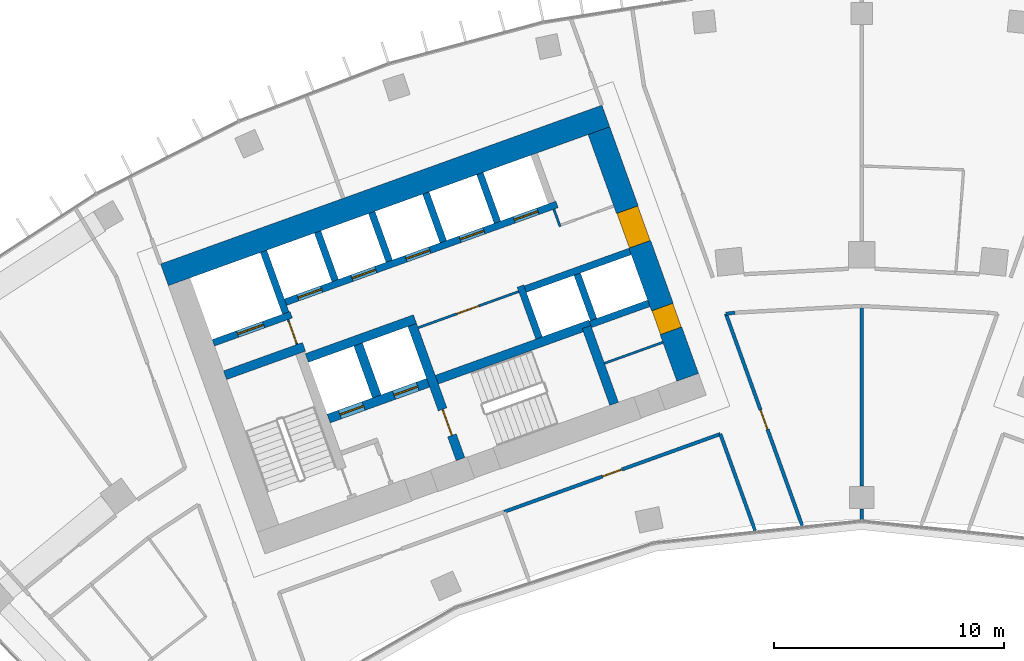
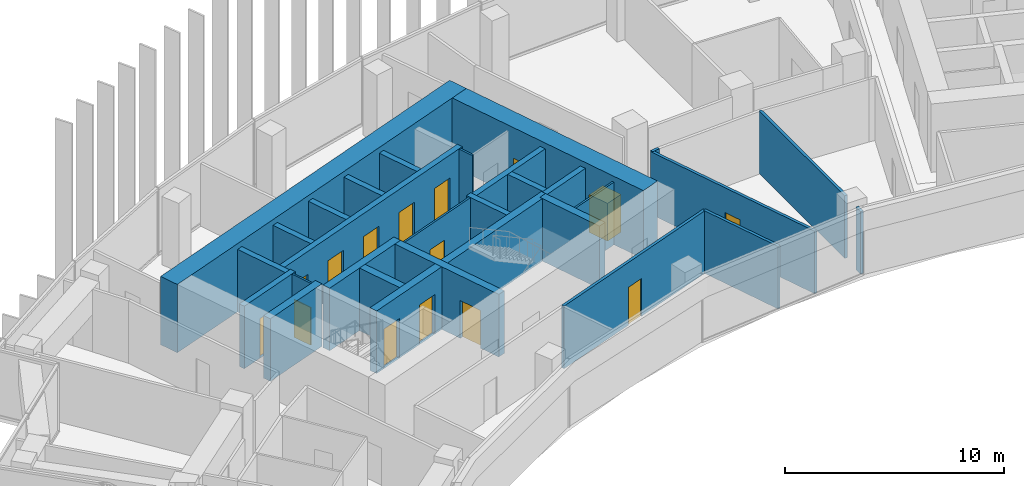
# One storey, part 14 of 19: 29 walls, 15 doors, 15 openings.
"""IFC4 building model written with IfcOpenShell, lengths in metres."""

from ifc_helpers import new_model, si_unit, direction, frame, frame_2d, origin, place, context, subcontext, project, spatial, rectangle, extrude, material, layer, layer_set, type_object, element, fill, save


model = new_model("IFC4")

# Units and contexts
model_context = context("Model", 3, precision=1e-05, world=origin(), true_north=direction((0.0, 1.0)))
body_context = subcontext(model_context, "Body", "Model", "MODEL_VIEW")
ifc_project = project(units=[si_unit("LENGTHUNIT", "METRE"), si_unit("AREAUNIT", "SQUARE_METRE"), si_unit("VOLUMEUNIT", "CUBIC_METRE"), si_unit("PLANEANGLEUNIT", "RADIAN"), si_unit("MASSUNIT", "GRAM", prefix="KILO")], contexts=[model_context])

# Site, building, storey
site_placement = place(None, origin())
site = spatial("IfcSite", under=ifc_project, at=site_placement, CompositionType="ELEMENT")
building_placement = place(site_placement, origin())
building = spatial("IfcBuilding", under=site, at=building_placement, Name="Stone Belt Terrace Tower", CompositionType="ELEMENT")
storey_placement = place(building_placement, frame((0.0, 0.0, 223.800048828125)))
storey = spatial("IfcBuildingStorey", under=building, at=storey_placement, Name="L54", CompositionType="ELEMENT", Elevation=223.800048828125)

# Wall, opening, door
ifc_material_1 = material(Name="Plasterboard partition")
ifc_layer_1 = layer(ifc_material_1, 0.10009765625)
ifc_layer_set_1 = layer_set([ifc_layer_1], Name="Core partition 100")
wall_type_1 = type_object("IfcWallType", Name="Core partition 100", PredefinedType="PARTITIONING", material=ifc_layer_set_1)
wall_1_placement = place(storey_placement, frame((-24.555908203125, 51.10400390625, 0.0), z_axis=(0.0, 0.0, 1.0), x_axis=(-0.338621735342, 0.94092258999, 0.0)))
wall_1 = element("IfcWall", 1, at=wall_1_placement, inside=storey, type_object=wall_type_1, Name="Core A wall", PredefinedType="PARTITIONING", context=body_context, shape_type="SweptSolid", body=[
    extrude(rectangle(XDim=1.14990234375, YDim=0.10009765625, at=frame_2d((0.574951171875, 0.0))), origin(), (0.0, 0.0, 1.0), 3.47998046875),
])
opening_1_placement = place(wall_1_placement, frame((0.050048828125, 0.0, 0.0)))
opening_1 = element("IfcOpeningElement", 2, at=opening_1_placement, cuts=wall_1, Name="Opening L54-C03", PredefinedType="OPENING", context=body_context, shape_type="SweptSolid", body=[
    extrude(rectangle(XDim=1.0, YDim=2.10009765625, at=frame_2d((0.5, 1.050048828125))), frame((0.0, 0.06005859375, 0.0), z_axis=(0.0, -1.0, 0.0), x_axis=(1.0, 0.0, 0.0)), (0.0, 0.0, 1.0), 0.1201171875),
])
ifc_material_2 = material(Name="Timber door leaf", Category="wood")
door_type_1 = type_object("IfcDoorType", Name="Core room door 1000", OperationType="SINGLE_SWING_LEFT", PredefinedType="DOOR", material=ifc_material_2)
door_1_placement = place(opening_1_placement, origin())
door_1 = element("IfcDoor", 3, at=door_1_placement, inside=storey, type_object=door_type_1, Name="Service lift lobby door core A", OperationType="SINGLE_SWING_RIGHT", OverallHeight=2.10009765625, OverallWidth=1.0, PredefinedType="DOOR", context=body_context, shape_type="SweptSolid", body=[
    extrude(rectangle(XDim=1.0, YDim=2.10009765625, at=frame_2d((0.5, 1.050048828125))), frame((0.0, 0.02490234375, 0.0), z_axis=(0.0, -1.0, 0.0), x_axis=(1.0, 0.0, 0.0)), (0.0, 0.0, 1.0), 0.050048828125),
])
fill(opening_1, door_1)

wall_2_placement = place(storey_placement, frame((-19.29052734375, 51.829833984375, 0.0), z_axis=(0.0, 0.0, 1.0), x_axis=(0.940930240745, 0.338600475563, 0.0)))
wall_2 = element("IfcWall", 4, at=wall_2_placement, inside=storey, type_object=wall_type_1, Name="Core A wall", PredefinedType="PARTITIONING", context=body_context, shape_type="SweptSolid", body=[
    extrude(rectangle(XDim=4.64990234375, YDim=0.10009765625, at=frame_2d((2.324951171875, 0.0))), origin(), (0.0, 0.0, 1.0), 3.47998046875),
])
opening_2_placement = place(wall_2_placement, frame((1.800048828125, 0.0, 0.0)))
opening_2 = element("IfcOpeningElement", 5, at=opening_2_placement, cuts=wall_2, Name="Opening L54-C02", PredefinedType="OPENING", context=body_context, shape_type="SweptSolid", body=[
    extrude(rectangle(XDim=1.0, YDim=2.10009765625, at=frame_2d((0.5, 1.050048828125))), frame((0.0, 0.06005859375, 0.0), z_axis=(0.0, -1.0, 0.0), x_axis=(1.0, 0.0, 0.0)), (0.0, 0.0, 1.0), 0.1201171875),
])
door_2_placement = place(opening_2_placement, origin())
door_2 = element("IfcDoor", 6, at=door_2_placement, inside=storey, type_object=door_type_1, Name="Door to Communications hub room core A", OperationType="SINGLE_SWING_RIGHT", OverallHeight=2.10009765625, OverallWidth=1.0, PredefinedType="DOOR", context=body_context, shape_type="SweptSolid", body=[
    extrude(rectangle(XDim=1.0, YDim=2.10009765625, at=frame_2d((0.5, 1.050048828125))), frame((0.0, 0.02490234375, 0.0), z_axis=(0.0, -1.0, 0.0), x_axis=(1.0, 0.0, 0.0)), (0.0, 0.0, 1.0), 0.050048828125),
])
fill(opening_2, door_2)

# Walls
wall_3_placement = place(storey_placement, frame((-11.187744140625, 50.2822265625, 0.0), z_axis=(0.0, 0.0, 1.0), x_axis=(0.940949642365, 0.338546555931, 0.0)))
element("IfcWall", 7, at=wall_3_placement, inside=storey, type_object=wall_type_1, Name="Core A wall", PredefinedType="PARTITIONING", context=body_context, shape_type="SweptSolid", body=[
    extrude(rectangle(XDim=2.699951171875, YDim=0.10009765625, at=frame_2d((1.35009765625, 0.0))), origin(), (0.0, 0.0, 1.0), 3.47998046875),
])
wall_4_placement = place(storey_placement, frame((-13.115966796875, 56.230712890625, 0.0), z_axis=(0.0, 0.0, 1.0), x_axis=(-0.338481684961, 0.940972979923, 0.0)))
element("IfcWall", 8, at=wall_4_placement, inside=storey, type_object=wall_type_1, Name="Core A wall", PredefinedType="PARTITIONING", context=body_context, shape_type="SweptSolid", body=[
    extrude(rectangle(XDim=0.7998046875, YDim=0.10009765625, at=frame_2d((0.39990234375, 0.0))), origin(), (0.0, 0.0, 1.0), 3.47998046875),
])
ifc_material_3 = material(Name="Concrete B60", Category="concrete")
ifc_layer_2 = layer(ifc_material_3, 1.0)
ifc_layer_set_2 = layer_set([ifc_layer_2], Name="Core wall 1000 B60")
wall_type_2 = type_object("IfcWallType", Name="Core wall 1000 B60", PredefinedType="SHEAR", material=ifc_layer_set_2)
wall_5_placement = place(storey_placement, frame((-30.3212890625, 54.13037109375, 0.0), z_axis=(0.0, 0.0, 1.0), x_axis=(0.940921428504, 0.338624962727, 0.0)))
element("IfcWall", 9, at=wall_5_placement, inside=storey, type_object=wall_type_2, Name="Core A wall convex L54", PredefinedType="SHEAR", context=body_context, shape_type="SweptSolid", body=[
    extrude(rectangle(XDim=20.400146484375, YDim=1.0, at=frame_2d((10.2001953125, 0.0))), origin(), (0.0, 0.0, 1.0), 3.800048828125),
])

# Wall, openings, doors
wall_6_placement = place(storey_placement, frame((-7.567138671875, 49.672119140625, 0.0), z_axis=(0.0, 0.0, 1.0), x_axis=(-0.338625431531, 0.940921259788, 0.0)))
wall_6 = element("IfcWall", 10, at=wall_6_placement, inside=storey, type_object=wall_type_2, Name="Core A wall end_b L54", PredefinedType="SHEAR", context=body_context, shape_type="SweptSolid", body=[
    extrude(rectangle(XDim=11.400146484375, YDim=1.0, at=frame_2d((5.7001953125, 0.0))), origin(), (0.0, 0.0, 1.0), 3.800048828125),
])
opening_3_placement = place(wall_6_placement, frame((6.14990234375, 0.0, 0.0)))
opening_3 = element("IfcOpeningElement", 11, at=opening_3_placement, cuts=wall_6, Name="Opening L54-C04", PredefinedType="OPENING", context=body_context, shape_type="SweptSolid", body=[
    extrude(rectangle(XDim=1.60009765625, YDim=2.10009765625, at=frame_2d((0.800048828125, 1.050048828125))), frame((0.0, 0.510009765625, 0.0), z_axis=(0.0, -1.0, 0.0), x_axis=(1.0, 0.0, 0.0)), (0.0, 0.0, 1.0), 1.02001953125),
])
opening_4_placement = place(wall_6_placement, frame((2.14990234375, 0.0, 0.0)))
opening_4 = element("IfcOpeningElement", 12, at=opening_4_placement, cuts=wall_6, Name="Opening L54-C10", PredefinedType="OPENING", context=body_context, shape_type="SweptSolid", body=[
    extrude(rectangle(XDim=1.10009765625, YDim=2.10009765625, at=frame_2d((0.550048828125, 1.050048828125))), frame((0.0, 0.510009765625, 0.0), z_axis=(0.0, -1.0, 0.0), x_axis=(1.0, 0.0, 0.0)), (0.0, 0.0, 1.0), 1.02001953125),
])
door_type_2 = type_object("IfcDoorType", Name="Core room door 1100", OperationType="SINGLE_SWING_LEFT", PredefinedType="DOOR", material=ifc_material_2)
door_3_placement = place(opening_4_placement, origin())
door_3 = element("IfcDoor", 13, at=door_3_placement, inside=storey, type_object=door_type_2, Name="Door to Accessible WC core A", OperationType="SINGLE_SWING_LEFT", OverallHeight=2.10009765625, OverallWidth=1.10009765625, PredefinedType="DOOR", context=body_context, shape_type="SweptSolid", body=[
    extrude(rectangle(XDim=1.10009765625, YDim=2.10009765625, at=frame_2d((0.550048828125, 1.050048828125))), frame((0.0, 0.47998046875, 0.0), z_axis=(0.0, -1.0, 0.0), x_axis=(1.0, 0.0, 0.0)), (0.0, 0.0, 1.0), 0.9599609375),
])
fill(opening_4, door_3)
ifc_material_4 = material(Name="Glazed aluminium door leaf", Category="aluminium")
door_type_3 = type_object("IfcDoorType", Name="Lift lobby entrance door 1600", OperationType="DOUBLE_DOOR_SINGLE_SWING", PredefinedType="DOOR", material=ifc_material_4)
door_4_placement = place(opening_3_placement, origin())
door_4 = element("IfcDoor", 14, at=door_4_placement, inside=storey, type_object=door_type_3, Name="Lift lobby entrance door core A", OperationType="DOUBLE_DOOR_SINGLE_SWING", OverallHeight=2.10009765625, OverallWidth=1.60009765625, PredefinedType="DOOR", context=body_context, shape_type="SweptSolid", body=[
    extrude(rectangle(XDim=1.60009765625, YDim=2.10009765625, at=frame_2d((0.800048828125, 1.050048828125))), frame((0.0, 0.47998046875, 0.0), z_axis=(0.0, -1.0, 0.0), x_axis=(1.0, 0.0, 0.0)), (0.0, 0.0, 1.0), 0.9599609375),
])
fill(opening_3, door_4)

# Walls
ifc_material_5 = material(Name="Concrete B80", Category="concrete")
ifc_layer_3 = layer(ifc_material_5, 0.39990234375)
ifc_layer_set_3 = layer_set([ifc_layer_3], Name="Fire-fighting lift shaft wall 400")
wall_type_3 = type_object("IfcWallType", Name="Fire-fighting lift shaft wall 400", PredefinedType="SHEAR", material=ifc_layer_set_3)
wall_7_placement = place(storey_placement, frame((-24.130615234375, 50.512939453125, 0.0), z_axis=(0.0, 0.0, 1.0), x_axis=(0.94091168377, 0.338652038744, 0.0)))
element("IfcWall", 15, at=wall_7_placement, inside=storey, type_object=wall_type_3, Name="Core A wall", PredefinedType="SHEAR", context=body_context, shape_type="SweptSolid", body=[
    extrude(rectangle(XDim=5.000244140625, YDim=0.39990234375, at=frame_2d((2.5, 0.0))), origin(), (0.0, 0.0, 1.0), 3.47998046875),
])
wall_8_placement = place(storey_placement, frame((-21.0859375, 48.845458984375, 0.0), z_axis=(0.0, 0.0, 1.0), x_axis=(-0.338629416206, 0.940919825745, 0.0)))
element("IfcWall", 16, at=wall_8_placement, inside=storey, type_object=wall_type_3, Name="Core A wall", PredefinedType="SHEAR", context=body_context, shape_type="SweptSolid", body=[
    extrude(rectangle(XDim=2.400146484375, YDim=0.39990234375, at=frame_2d((1.2001953125, 0.0))), origin(), (0.0, 0.0, 1.0), 3.47998046875),
])

# Wall, opening, door
ifc_layer_4 = layer(ifc_material_5, 0.300048828125)
ifc_layer_set_4 = layer_set([ifc_layer_4], Name="Lift shaft wall 300")
wall_type_4 = type_object("IfcWallType", Name="Lift shaft wall 300", PredefinedType="SHEAR", material=ifc_layer_set_4)
wall_9_placement = place(storey_placement, frame((-28.195068359375, 51.17578125, 0.0), z_axis=(0.0, 0.0, 1.0), x_axis=(0.940901243567, 0.338681044427, 0.0)))
wall_9 = element("IfcWall", 17, at=wall_9_placement, inside=storey, type_object=wall_type_4, Name="Core A wall", PredefinedType="SHEAR", context=body_context, shape_type="SweptSolid", body=[
    extrude(rectangle(XDim=3.599853515625, YDim=0.300048828125, at=frame_2d((1.7998046875, 0.0))), origin(), (0.0, 0.0, 1.0), 3.47998046875),
])
opening_5_placement = place(wall_9_placement, frame((1.1201171875, 0.0, 0.0)))
opening_5 = element("IfcOpeningElement", 18, at=opening_5_placement, cuts=wall_9, Name="Opening L54-LD08", PredefinedType="OPENING", context=body_context, shape_type="SweptSolid", body=[
    extrude(rectangle(XDim=1.199951171875, YDim=2.199951171875, at=frame_2d((0.60009765625, 1.10009765625))), frame((0.0, 0.159912109375, 0.0), z_axis=(0.0, -1.0, 0.0), x_axis=(1.0, 0.0, 0.0)), (0.0, 0.0, 1.0), 0.320068359375),
])
ifc_material_6 = material(Name="Stainless steel door leaf", Category="steel")
door_type_4 = type_object("IfcDoorType", Name="Landing door 1200", OperationType="SLIDING_TO_LEFT", PredefinedType="DOOR", material=ifc_material_6)
door_5_placement = place(opening_5_placement, origin())
door_5 = element("IfcDoor", 19, at=door_5_placement, inside=storey, type_object=door_type_4, Name="Landing door SV1 core A", OperationType="SLIDING_TO_LEFT", OverallHeight=2.199951171875, OverallWidth=1.199951171875, PredefinedType="DOOR", context=body_context, shape_type="SweptSolid", body=[
    extrude(rectangle(XDim=1.199951171875, YDim=2.199951171875, at=frame_2d((0.60009765625, 1.10009765625))), frame((0.0, 0.02490234375, 0.0), z_axis=(0.0, -1.0, 0.0), x_axis=(1.0, 0.0, 0.0)), (0.0, 0.0, 1.0), 0.050048828125),
])
fill(opening_5, door_5)

# Wall
wall_10_placement = place(storey_placement, frame((-25.046875, 52.46826171875, 0.0), z_axis=(0.0, 0.0, 1.0), x_axis=(-0.338549588058, 0.940948551423, 0.0)))
element("IfcWall", 20, at=wall_10_placement, inside=storey, type_object=wall_type_4, Name="Core A wall", PredefinedType="SHEAR", context=body_context, shape_type="SweptSolid", body=[
    extrude(rectangle(XDim=2.849853515625, YDim=0.300048828125, at=frame_2d((1.4248046875, 0.0))), origin(), (0.0, 0.0, 1.0), 3.47998046875),
])

# Wall, openings, doors
wall_11_placement = place(storey_placement, frame((-25.05810546875, 52.9423828125, 0.0), z_axis=(0.0, 0.0, 1.0), x_axis=(0.940921381676, 0.338625092847, 0.0)))
wall_11 = element("IfcWall", 21, at=wall_11_placement, inside=storey, type_object=wall_type_4, Name="Core A wall", PredefinedType="SHEAR", context=body_context, shape_type="SweptSolid", body=[
    extrude(rectangle(XDim=12.550048828125, YDim=0.300048828125, at=frame_2d((6.27490234375, 0.0))), origin(), (0.0, 0.0, 1.0), 3.47998046875),
])
opening_6_placement = place(wall_11_placement, frame((0.570068359375, 0.0, 0.0)))
opening_6 = element("IfcOpeningElement", 22, at=opening_6_placement, cuts=wall_11, Name="Opening L54-LD01", PredefinedType="OPENING", context=body_context, shape_type="SweptSolid", body=[
    extrude(rectangle(XDim=1.10009765625, YDim=2.199951171875, at=frame_2d((0.550048828125, 1.10009765625))), frame((0.0, 0.159912109375, 0.0), z_axis=(0.0, -1.0, 0.0), x_axis=(1.0, 0.0, 0.0)), (0.0, 0.0, 1.0), 0.320068359375),
])
opening_7_placement = place(wall_11_placement, frame((3.070068359375, 0.0, 0.0)))
opening_7 = element("IfcOpeningElement", 23, at=opening_7_placement, cuts=wall_11, Name="Opening L54-LD02", PredefinedType="OPENING", context=body_context, shape_type="SweptSolid", body=[
    extrude(rectangle(XDim=1.10009765625, YDim=2.199951171875, at=frame_2d((0.550048828125, 1.10009765625))), frame((0.0, 0.159912109375, 0.0), z_axis=(0.0, -1.0, 0.0), x_axis=(1.0, 0.0, 0.0)), (0.0, 0.0, 1.0), 0.320068359375),
])
opening_8_placement = place(wall_11_placement, frame((5.570068359375, 0.0, 0.0)))
opening_8 = element("IfcOpeningElement", 24, at=opening_8_placement, cuts=wall_11, Name="Opening L54-LD03", PredefinedType="OPENING", context=body_context, shape_type="SweptSolid", body=[
    extrude(rectangle(XDim=1.10009765625, YDim=2.199951171875, at=frame_2d((0.550048828125, 1.10009765625))), frame((0.0, 0.159912109375, 0.0), z_axis=(0.0, -1.0, 0.0), x_axis=(1.0, 0.0, 0.0)), (0.0, 0.0, 1.0), 0.320068359375),
])
opening_9_placement = place(wall_11_placement, frame((8.070068359375, 0.0, 0.0)))
opening_9 = element("IfcOpeningElement", 25, at=opening_9_placement, cuts=wall_11, Name="Opening L54-LD04", PredefinedType="OPENING", context=body_context, shape_type="SweptSolid", body=[
    extrude(rectangle(XDim=1.10009765625, YDim=2.199951171875, at=frame_2d((0.550048828125, 1.10009765625))), frame((0.0, 0.159912109375, 0.0), z_axis=(0.0, -1.0, 0.0), x_axis=(1.0, 0.0, 0.0)), (0.0, 0.0, 1.0), 0.320068359375),
])
opening_10_placement = place(wall_11_placement, frame((10.570068359375, 0.0, 0.0)))
opening_10 = element("IfcOpeningElement", 26, at=opening_10_placement, cuts=wall_11, Name="Opening L54-LD05", PredefinedType="OPENING", context=body_context, shape_type="SweptSolid", body=[
    extrude(rectangle(XDim=1.10009765625, YDim=2.199951171875, at=frame_2d((0.550048828125, 1.10009765625))), frame((0.0, 0.159912109375, 0.0), z_axis=(0.0, -1.0, 0.0), x_axis=(1.0, 0.0, 0.0)), (0.0, 0.0, 1.0), 0.320068359375),
])
door_type_5 = type_object("IfcDoorType", Name="Landing door 1100", OperationType="SLIDING_TO_LEFT", PredefinedType="DOOR", material=ifc_material_6)
door_6_placement = place(opening_6_placement, origin())
door_6 = element("IfcDoor", 27, at=door_6_placement, inside=storey, type_object=door_type_5, Name="Landing door MR1 core A", OperationType="SLIDING_TO_LEFT", OverallHeight=2.199951171875, OverallWidth=1.10009765625, PredefinedType="DOOR", context=body_context, shape_type="SweptSolid", body=[
    extrude(rectangle(XDim=1.10009765625, YDim=2.199951171875, at=frame_2d((0.550048828125, 1.10009765625))), frame((0.0, 0.02490234375, 0.0), z_axis=(0.0, -1.0, 0.0), x_axis=(1.0, 0.0, 0.0)), (0.0, 0.0, 1.0), 0.050048828125),
])
fill(opening_6, door_6)
door_7_placement = place(opening_7_placement, origin())
door_7 = element("IfcDoor", 28, at=door_7_placement, inside=storey, type_object=door_type_5, Name="Landing door MR2 core A", OperationType="SLIDING_TO_LEFT", OverallHeight=2.199951171875, OverallWidth=1.10009765625, PredefinedType="DOOR", context=body_context, shape_type="SweptSolid", body=[
    extrude(rectangle(XDim=1.10009765625, YDim=2.199951171875, at=frame_2d((0.550048828125, 1.10009765625))), frame((0.0, 0.02490234375, 0.0), z_axis=(0.0, -1.0, 0.0), x_axis=(1.0, 0.0, 0.0)), (0.0, 0.0, 1.0), 0.050048828125),
])
fill(opening_7, door_7)
door_8_placement = place(opening_8_placement, origin())
door_8 = element("IfcDoor", 29, at=door_8_placement, inside=storey, type_object=door_type_5, Name="Landing door MR3 core A", OperationType="SLIDING_TO_LEFT", OverallHeight=2.199951171875, OverallWidth=1.10009765625, PredefinedType="DOOR", context=body_context, shape_type="SweptSolid", body=[
    extrude(rectangle(XDim=1.10009765625, YDim=2.199951171875, at=frame_2d((0.550048828125, 1.10009765625))), frame((0.0, 0.02490234375, 0.0), z_axis=(0.0, -1.0, 0.0), x_axis=(1.0, 0.0, 0.0)), (0.0, 0.0, 1.0), 0.050048828125),
])
fill(opening_8, door_8)
door_9_placement = place(opening_9_placement, origin())
door_9 = element("IfcDoor", 30, at=door_9_placement, inside=storey, type_object=door_type_5, Name="Landing door MR4 core A", OperationType="SLIDING_TO_LEFT", OverallHeight=2.199951171875, OverallWidth=1.10009765625, PredefinedType="DOOR", context=body_context, shape_type="SweptSolid", body=[
    extrude(rectangle(XDim=1.10009765625, YDim=2.199951171875, at=frame_2d((0.550048828125, 1.10009765625))), frame((0.0, 0.02490234375, 0.0), z_axis=(0.0, -1.0, 0.0), x_axis=(1.0, 0.0, 0.0)), (0.0, 0.0, 1.0), 0.050048828125),
])
fill(opening_9, door_9)
door_10_placement = place(opening_10_placement, origin())
door_10 = element("IfcDoor", 31, at=door_10_placement, inside=storey, type_object=door_type_5, Name="Landing door MR5 core A", OperationType="SLIDING_TO_LEFT", OverallHeight=2.199951171875, OverallWidth=1.10009765625, PredefinedType="DOOR", context=body_context, shape_type="SweptSolid", body=[
    extrude(rectangle(XDim=1.10009765625, YDim=2.199951171875, at=frame_2d((0.550048828125, 1.10009765625))), frame((0.0, 0.02490234375, 0.0), z_axis=(0.0, -1.0, 0.0), x_axis=(1.0, 0.0, 0.0)), (0.0, 0.0, 1.0), 0.050048828125),
])
fill(opening_10, door_10)

# Walls
wall_12_placement = place(storey_placement, frame((-22.897705078125, 53.87939453125, 0.0), z_axis=(0.0, 0.0, 1.0), x_axis=(-0.338535034312, 0.940953787677, 0.0)))
element("IfcWall", 32, at=wall_12_placement, inside=storey, type_object=wall_type_4, Name="Core A wall", PredefinedType="SHEAR", context=body_context, shape_type="SweptSolid", body=[
    extrude(rectangle(XDim=2.25, YDim=0.300048828125, at=frame_2d((1.125, 0.0))), origin(), (0.0, 0.0, 1.0), 3.47998046875),
])
wall_13_placement = place(storey_placement, frame((-20.54541015625, 54.72607421875, 0.0), z_axis=(0.0, 0.0, 1.0), x_axis=(-0.338569601369, 0.940941350472, 0.0)))
element("IfcWall", 33, at=wall_13_placement, inside=storey, type_object=wall_type_4, Name="Core A wall", PredefinedType="SHEAR", context=body_context, shape_type="SweptSolid", body=[
    extrude(rectangle(XDim=2.249755859375, YDim=0.300048828125, at=frame_2d((1.125, 0.0))), origin(), (0.0, 0.0, 1.0), 3.47998046875),
])
wall_14_placement = place(storey_placement, frame((-18.193115234375, 55.572509765625, 0.0), z_axis=(0.0, 0.0, 1.0), x_axis=(-0.338535034312, 0.940953787677, 0.0)))
element("IfcWall", 34, at=wall_14_placement, inside=storey, type_object=wall_type_4, Name="Core A wall", PredefinedType="SHEAR", context=body_context, shape_type="SweptSolid", body=[
    extrude(rectangle(XDim=2.25, YDim=0.300048828125, at=frame_2d((1.125, 0.0))), origin(), (0.0, 0.0, 1.0), 3.47998046875),
])
wall_15_placement = place(storey_placement, frame((-14.029052734375, 51.38525390625, 0.0), z_axis=(0.0, 0.0, 1.0), x_axis=(-0.338661829791, 0.940908159728, 0.0)))
element("IfcWall", 35, at=wall_15_placement, inside=storey, type_object=wall_type_4, Name="Core A wall", PredefinedType="SHEAR", context=body_context, shape_type="SweptSolid", body=[
    extrude(rectangle(XDim=2.39990234375, YDim=0.300048828125, at=frame_2d((1.199951171875, 0.0))), origin(), (0.0, 0.0, 1.0), 3.47998046875),
])
wall_16_placement = place(storey_placement, frame((-14.6328125, 53.506103515625, 0.0), z_axis=(0.0, 0.0, 1.0), x_axis=(0.940931684323, 0.338596464007, 0.0)))
element("IfcWall", 36, at=wall_16_placement, inside=storey, type_object=wall_type_4, Name="Core A wall", PredefinedType="SHEAR", context=body_context, shape_type="SweptSolid", body=[
    extrude(rectangle(XDim=4.849609375, YDim=0.300048828125, at=frame_2d((2.4248046875, 0.0))), origin(), (0.0, 0.0, 1.0), 3.47998046875),
])
wall_17_placement = place(storey_placement, frame((-15.8408203125, 56.419189453125, 0.0), z_axis=(0.0, 0.0, 1.0), x_axis=(-0.338569601369, 0.940941350472, 0.0)))
element("IfcWall", 37, at=wall_17_placement, inside=storey, type_object=wall_type_4, Name="Core A wall", PredefinedType="SHEAR", context=body_context, shape_type="SweptSolid", body=[
    extrude(rectangle(XDim=2.249755859375, YDim=0.300048828125, at=frame_2d((1.125, 0.0))), origin(), (0.0, 0.0, 1.0), 3.47998046875),
])
wall_18_placement = place(storey_placement, frame((-11.797119140625, 51.975830078125, 0.0), z_axis=(0.0, 0.0, 1.0), x_axis=(0.940910465161, 0.33865542451, 0.0)))
element("IfcWall", 38, at=wall_18_placement, inside=storey, type_object=wall_type_4, Name="Core A wall", PredefinedType="SHEAR", context=body_context, shape_type="SweptSolid", body=[
    extrude(rectangle(XDim=2.69970703125, YDim=0.300048828125, at=frame_2d((1.349853515625, 0.0))), origin(), (0.0, 0.0, 1.0), 3.47998046875),
])
wall_19_placement = place(storey_placement, frame((-11.659912109375, 52.184814453125, 0.0), z_axis=(0.0, 0.0, 1.0), x_axis=(-0.338670064856, 0.940905195634, 0.0)))
element("IfcWall", 39, at=wall_19_placement, inside=storey, type_object=wall_type_4, Name="Core A wall", PredefinedType="SHEAR", context=body_context, shape_type="SweptSolid", body=[
    extrude(rectangle(XDim=2.099853515625, YDim=0.300048828125, at=frame_2d((1.0498046875, 0.0))), origin(), (0.0, 0.0, 1.0), 3.47998046875),
])
ifc_material_7 = material(Name="Gypsum board partition")
ifc_layer_5 = layer(ifc_material_7, 0.14990234375)
ifc_layer_set_5 = layer_set([ifc_layer_5], Name="PARTITION 150 EI 60")
wall_type_5 = type_object("IfcWallType", Name="PARTITION 150 EI 60", PredefinedType="PARTITIONING", material=ifc_layer_set_5)
wall_20_placement = place(storey_placement, frame((-4.638427734375, 43.012451171875, 0.0), z_axis=(0.0, 0.0, 1.0), x_axis=(-0.338583902482, 0.940936204522, 0.0)))
element("IfcWall", 40, at=wall_20_placement, inside=storey, type_object=wall_type_5, Name="L54/wall/i007", PredefinedType="PARTITIONING", context=body_context, shape_type="SweptSolid", body=[
    extrude(rectangle(XDim=4.464111328125, YDim=0.14990234375, at=frame_2d((2.23193359375, 0.0))), origin(), (0.0, 0.0, 1.0), 3.47998046875),
])

# Wall, opening, door
wall_21_placement = place(storey_placement, frame((-5.906005859375, 52.44091796875, 0.0), z_axis=(0.0, 0.0, 1.0), x_axis=(0.33864618549, -0.940913790447, 0.0)))
wall_21 = element("IfcWall", 41, at=wall_21_placement, inside=storey, type_object=wall_type_5, Name="L54/wall/i009", PredefinedType="PARTITIONING", context=body_context, shape_type="SweptSolid", body=[
    extrude(rectangle(XDim=9.791748046875, YDim=0.14990234375, at=frame_2d((4.89599609375, 0.0))), origin(), (0.0, 0.0, 1.0), 3.47998046875),
])
opening_11_placement = place(wall_21_placement, frame((4.44580078125, 0.0, 0.0)))
opening_11 = element("IfcOpeningElement", 42, at=opening_11_placement, cuts=wall_21, Name="Opening D-D3-23", PredefinedType="OPENING", context=body_context, shape_type="SweptSolid", body=[
    extrude(rectangle(XDim=0.89990234375, YDim=2.10009765625, at=frame_2d((0.449951171875, 1.050048828125))), frame((0.0, 0.0849609375, 0.0), z_axis=(0.0, -1.0, 0.0), x_axis=(1.0, 0.0, 0.0)), (0.0, 0.0, 1.0), 0.169921875),
])
door_type_6 = type_object("IfcDoorType", Name="OFFICE DOOR 900 X 2100", OperationType="NOTDEFINED", PredefinedType="DOOR", material=ifc_material_2)
door_11_placement = place(opening_11_placement, origin())
door_11 = element("IfcDoor", 43, at=door_11_placement, inside=storey, type_object=door_type_6, Name="L54/door/i23", OperationType="SINGLE_SWING_RIGHT", OverallHeight=2.10009765625, OverallWidth=0.89990234375, PredefinedType="DOOR", context=body_context, shape_type="SweptSolid", body=[
    extrude(rectangle(XDim=0.89990234375, YDim=2.10009765625, at=frame_2d((0.449951171875, 1.050048828125))), frame((0.0, 0.02490234375, 0.0), z_axis=(0.0, -1.0, 0.0), x_axis=(1.0, 0.0, 0.0)), (0.0, 0.0, 1.0), 0.050048828125),
])
fill(opening_11, door_11)

wall_22_placement = place(storey_placement, frame((-6.14892578125, 47.20703125, 0.0), z_axis=(0.0, 0.0, 1.0), x_axis=(-0.940919183473, -0.338631200826, 0.0)))
wall_22 = element("IfcWall", 44, at=wall_22_placement, inside=storey, type_object=wall_type_5, Name="L54/wall/i013", PredefinedType="PARTITIONING", context=body_context, shape_type="SweptSolid", body=[
    extrude(rectangle(XDim=9.990478515625, YDim=0.14990234375, at=frame_2d((4.9951171875, 0.0))), origin(), (0.0, 0.0, 1.0), 3.47998046875),
])
opening_12_placement = place(wall_22_placement, frame((4.545166015625, 0.0, 0.0)))
opening_12 = element("IfcOpeningElement", 45, at=opening_12_placement, cuts=wall_22, Name="Opening D-D3-02", PredefinedType="OPENING", context=body_context, shape_type="SweptSolid", body=[
    extrude(rectangle(XDim=0.89990234375, YDim=2.10009765625, at=frame_2d((0.449951171875, 1.050048828125))), frame((0.0, 0.0849609375, 0.0), z_axis=(0.0, -1.0, 0.0), x_axis=(1.0, 0.0, 0.0)), (0.0, 0.0, 1.0), 0.169921875),
])
door_12_placement = place(opening_12_placement, origin())
door_12 = element("IfcDoor", 46, at=door_12_placement, inside=storey, type_object=door_type_6, Name="L54/door/i02", OperationType="SINGLE_SWING_RIGHT", OverallHeight=2.10009765625, OverallWidth=0.89990234375, PredefinedType="DOOR", context=body_context, shape_type="SweptSolid", body=[
    extrude(rectangle(XDim=0.89990234375, YDim=2.10009765625, at=frame_2d((0.449951171875, 1.050048828125))), frame((0.0, 0.02490234375, 0.0), z_axis=(0.0, -1.0, 0.0), x_axis=(1.0, 0.0, 0.0)), (0.0, 0.0, 1.0), 0.050048828125),
])
fill(opening_12, door_12)

# Walls
wall_23_placement = place(storey_placement, frame((-5.51611328125, 52.486083984375, 0.0), z_axis=(0.0, 0.0, 1.0), x_axis=(-0.991780421826, -0.127951533338, 0.0)))
element("IfcWall", 47, at=wall_23_placement, inside=storey, type_object=wall_type_5, Name="L54/wall/i070", PredefinedType="PARTITIONING", context=body_context, shape_type="SweptSolid", body=[
    extrude(rectangle(XDim=0.39111328125, YDim=0.14990234375, at=frame_2d((0.195556640625, 0.0))), origin(), (0.0, 0.0, 1.0), 3.47998046875),
])
wall_24_placement = place(storey_placement, frame((0.0, 52.77490234375, 0.0), z_axis=(0.0, 0.0, 1.0), x_axis=(0.0, -1.0, 0.0)))
element("IfcWall", 48, at=wall_24_placement, inside=storey, type_object=wall_type_5, Name="L54/wall/i076", PredefinedType="PARTITIONING", context=body_context, shape_type="SweptSolid", body=[
    extrude(rectangle(XDim=7.824951171875, YDim=0.14990234375, at=frame_2d((3.91259765625, 0.0))), origin(), (0.0, 0.0, 1.0), 3.47998046875),
])
wall_25_placement = place(storey_placement, frame((0.0, 43.93994140625, 0.0), z_axis=(0.0, 0.0, 1.0), x_axis=(0.0, -1.0, 0.0)))
element("IfcWall", 49, at=wall_25_placement, inside=storey, type_object=wall_type_5, Name="L54/wall/i077", PredefinedType="PARTITIONING", context=body_context, shape_type="SweptSolid", body=[
    extrude(rectangle(XDim=0.43994140625, YDim=0.14990234375, at=frame_2d((0.219970703125, 0.0))), origin(), (0.0, 0.0, 1.0), 3.47998046875),
])
ifc_layer_6 = layer(ifc_material_5, 0.39990234375)
ifc_layer_set_6 = layer_set([ifc_layer_6], Name="Stair enclosure wall 400")
wall_type_6 = type_object("IfcWallType", Name="Stair enclosure wall 400", PredefinedType="SHEAR", material=ifc_layer_set_6)
wall_26_placement = place(storey_placement, frame((-27.687255859375, 49.764404296875, 0.0), z_axis=(0.0, 0.0, 1.0), x_axis=(0.940918954884, 0.338631835981, 0.0)))
element("IfcWall", 50, at=wall_26_placement, inside=storey, type_object=wall_type_6, Name="Core A wall", PredefinedType="SHEAR", context=body_context, shape_type="SweptSolid", body=[
    extrude(rectangle(XDim=3.650146484375, YDim=0.39990234375, at=frame_2d((1.8251953125, 0.0))), origin(), (0.0, 0.0, 1.0), 3.47998046875),
])

# Wall, openings, doors
wall_27_placement = place(storey_placement, frame((-23.182373046875, 47.87841796875, 0.0), z_axis=(0.0, 0.0, 1.0), x_axis=(0.940921101762, 0.338625870628, 0.0)))
wall_27 = element("IfcWall", 51, at=wall_27_placement, inside=storey, type_object=wall_type_6, Name="Core A wall", PredefinedType="SHEAR", context=body_context, shape_type="SweptSolid", body=[
    extrude(rectangle(XDim=12.10009765625, YDim=0.39990234375, at=frame_2d((6.050048828125, 0.0))), origin(), (0.0, 0.0, 1.0), 3.47998046875),
])
opening_13_placement = place(wall_27_placement, frame((0.52001953125, 0.0, 0.0)))
opening_13 = element("IfcOpeningElement", 52, at=opening_13_placement, cuts=wall_27, Name="Opening L54-LD06", PredefinedType="OPENING", context=body_context, shape_type="SweptSolid", body=[
    extrude(rectangle(XDim=1.10009765625, YDim=2.199951171875, at=frame_2d((0.550048828125, 1.10009765625))), frame((0.0, 0.2099609375, 0.0), z_axis=(0.0, -1.0, 0.0), x_axis=(1.0, 0.0, 0.0)), (0.0, 0.0, 1.0), 0.419921875),
])
opening_14_placement = place(wall_27_placement, frame((3.02001953125, 0.0, 0.0)))
opening_14 = element("IfcOpeningElement", 53, at=opening_14_placement, cuts=wall_27, Name="Opening L54-LD07", PredefinedType="OPENING", context=body_context, shape_type="SweptSolid", body=[
    extrude(rectangle(XDim=1.10009765625, YDim=2.199951171875, at=frame_2d((0.550048828125, 1.10009765625))), frame((0.0, 0.2099609375, 0.0), z_axis=(0.0, -1.0, 0.0), x_axis=(1.0, 0.0, 0.0)), (0.0, 0.0, 1.0), 0.419921875),
])
door_13_placement = place(opening_13_placement, origin())
door_13 = element("IfcDoor", 54, at=door_13_placement, inside=storey, type_object=door_type_5, Name="Landing door FF1 core A", OperationType="SLIDING_TO_LEFT", OverallHeight=2.199951171875, OverallWidth=1.10009765625, PredefinedType="DOOR", context=body_context, shape_type="SweptSolid", body=[
    extrude(rectangle(XDim=1.10009765625, YDim=2.199951171875, at=frame_2d((0.550048828125, 1.10009765625))), frame((0.0, 0.02490234375, 0.0), z_axis=(0.0, -1.0, 0.0), x_axis=(1.0, 0.0, 0.0)), (0.0, 0.0, 1.0), 0.050048828125),
])
fill(opening_13, door_13)
door_14_placement = place(opening_14_placement, origin())
door_14 = element("IfcDoor", 55, at=door_14_placement, inside=storey, type_object=door_type_5, Name="Landing door FF2 core A", OperationType="SLIDING_TO_LEFT", OverallHeight=2.199951171875, OverallWidth=1.10009765625, PredefinedType="DOOR", context=body_context, shape_type="SweptSolid", body=[
    extrude(rectangle(XDim=1.10009765625, YDim=2.199951171875, at=frame_2d((0.550048828125, 1.10009765625))), frame((0.0, 0.02490234375, 0.0), z_axis=(0.0, -1.0, 0.0), x_axis=(1.0, 0.0, 0.0)), (0.0, 0.0, 1.0), 0.050048828125),
])
fill(opening_14, door_14)

# Wall, opening, door
wall_28_placement = place(storey_placement, frame((-17.447021484375, 46.116455078125, 0.0), z_axis=(0.0, 0.0, 1.0), x_axis=(-0.33860791464, 0.940927563707, 0.0)))
wall_28 = element("IfcWall", 56, at=wall_28_placement, inside=storey, type_object=wall_type_6, Name="Core A wall", PredefinedType="SHEAR", context=body_context, shape_type="SweptSolid", body=[
    extrude(rectangle(XDim=6.199951171875, YDim=0.39990234375, at=frame_2d((3.10009765625, 0.0))), origin(), (0.0, 0.0, 1.0), 3.47998046875),
])
opening_15_placement = place(wall_28_placement, frame((1.10009765625, 0.0, 0.0)))
opening_15 = element("IfcOpeningElement", 57, at=opening_15_placement, cuts=wall_28, Name="Opening L54-C08", PredefinedType="OPENING", context=body_context, shape_type="SweptSolid", body=[
    extrude(rectangle(XDim=1.199951171875, YDim=2.10009765625, at=frame_2d((0.60009765625, 1.050048828125))), frame((0.0, 0.2099609375, 0.0), z_axis=(0.0, -1.0, 0.0), x_axis=(1.0, 0.0, 0.0)), (0.0, 0.0, 1.0), 0.419921875),
])
ifc_material_8 = material(Name="Steel door leaf", Category="steel")
door_type_7 = type_object("IfcDoorType", Name="Stair door 1200", OperationType="SINGLE_SWING_LEFT", PredefinedType="DOOR", material=ifc_material_8)
door_15_placement = place(opening_15_placement, origin())
door_15 = element("IfcDoor", 58, at=door_15_placement, inside=storey, type_object=door_type_7, Name="Stair 2 door core A", OperationType="SINGLE_SWING_RIGHT", OverallHeight=2.10009765625, OverallWidth=1.199951171875, PredefinedType="DOOR", context=body_context, shape_type="SweptSolid", body=[
    extrude(rectangle(XDim=1.199951171875, YDim=2.10009765625, at=frame_2d((0.60009765625, 1.050048828125))), frame((0.0, 0.02490234375, 0.0), z_axis=(0.0, -1.0, 0.0), x_axis=(1.0, 0.0, 0.0)), (0.0, 0.0, 1.0), 0.050048828125),
])
fill(opening_15, door_15)

# Wall
wall_29_placement = place(storey_placement, frame((-10.766357421875, 48.520751953125, 0.0), z_axis=(0.0, 0.0, 1.0), x_axis=(-0.338626928157, 0.94092072117, 0.0)))
element("IfcWall", 59, at=wall_29_placement, inside=storey, type_object=wall_type_6, Name="Core A wall", PredefinedType="SHEAR", context=body_context, shape_type="SweptSolid", body=[
    extrude(rectangle(XDim=3.550048828125, YDim=0.39990234375, at=frame_2d((1.77490234375, 0.0))), origin(), (0.0, 0.0, 1.0), 3.47998046875),
])

save(model, "model.ifc")
